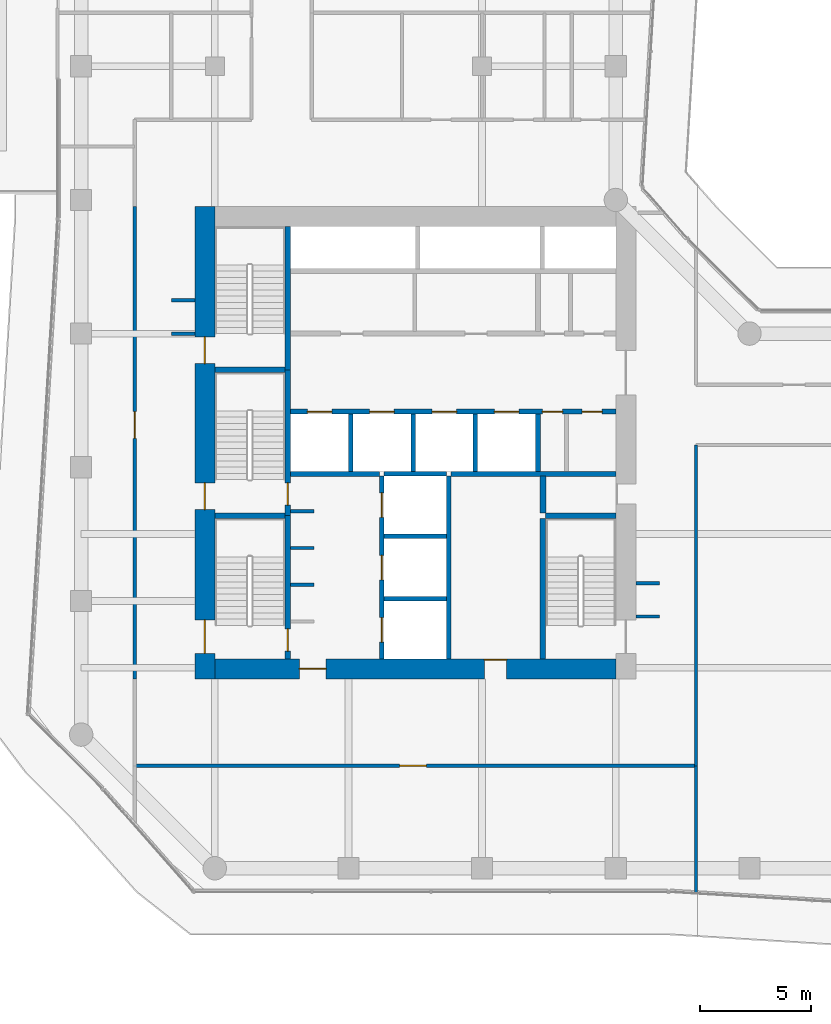
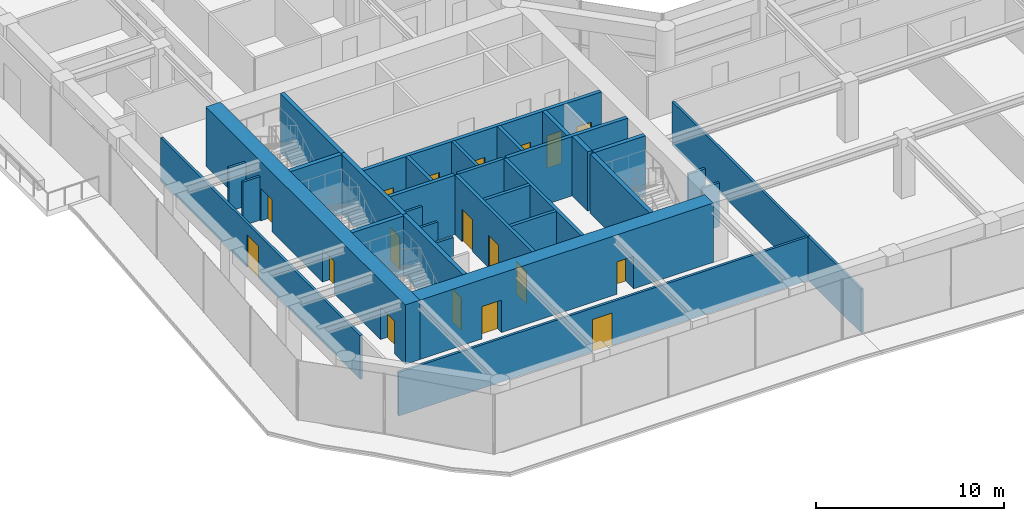
# One storey, part 21 of 27: 33 walls, 18 doors, 18 openings.
"""IFC4 building model written with IfcOpenShell, lengths in metres."""

from ifc_helpers import new_model, si_unit, direction, frame, frame_2d, origin, place, context, subcontext, project, spatial, rectangle, extrude, material, layer, layer_set, type_object, element, fill, save


model = new_model("IFC4")

# Units and contexts
model_context = context("Model", 3, precision=1e-05, world=origin(), true_north=direction((0.0, 1.0)))
body_context = subcontext(model_context, "Body", "Model", "MODEL_VIEW")
ifc_project = project(units=[si_unit("LENGTHUNIT", "METRE"), si_unit("AREAUNIT", "SQUARE_METRE"), si_unit("VOLUMEUNIT", "CUBIC_METRE"), si_unit("PLANEANGLEUNIT", "RADIAN"), si_unit("MASSUNIT", "GRAM", prefix="KILO")], contexts=[model_context])

# Site, building, storey
site_placement = place(None, origin())
site = spatial("IfcSite", under=ifc_project, at=site_placement, CompositionType="ELEMENT")
building_placement = place(site_placement, origin())
building = spatial("IfcBuilding", under=site, at=building_placement, Name="Welwitschia Terrace Campus", CompositionType="ELEMENT")
storey_placement = place(building_placement, frame((0.0, 0.0, 37.39990234375)))
storey = spatial("IfcBuildingStorey", under=building, at=storey_placement, Name="L08", CompositionType="ELEMENT", Elevation=37.39990234375)

# Walls
ifc_material_1 = material(Name="Concrete C32/40", Category="concrete")
ifc_layer_1 = layer(ifc_material_1, 0.22509765625)
ifc_layer_set_1 = layer_set([ifc_layer_1], Name="Concrete C32/40")
wall_type_1 = type_object("IfcWallType", Name="Core partition 225 Concrete C32/40", PredefinedType="PARTITIONING", material=ifc_layer_set_1)
wall_1_placement = place(storey_placement, frame((9.39990234375, 13.699951171875, 0.0), z_axis=(0.0, 0.0, 1.0), x_axis=(1.0, 0.0, 0.0)))
element("IfcWall", 1, at=wall_1_placement, inside=storey, type_object=wall_type_1, Name="Shaft wall", PredefinedType="PARTITIONING", context=body_context, shape_type="SweptSolid", body=[
    extrude(rectangle(XDim=4.0, YDim=0.22509765625, at=frame_2d((2.0, 0.0))), origin(), (0.0, 0.0, 1.0), 3.85009765625),
])
wall_2_placement = place(storey_placement, frame((16.60009765625, 13.699951171875, 0.0), z_axis=(0.0, 0.0, 1.0), x_axis=(1.0, 0.0, 0.0)))
element("IfcWall", 2, at=wall_2_placement, inside=storey, type_object=wall_type_1, Name="Shaft wall", PredefinedType="PARTITIONING", context=body_context, shape_type="SweptSolid", body=[
    extrude(rectangle(XDim=7.39990234375, YDim=0.22509765625, at=frame_2d((3.699951171875, 0.0))), origin(), (0.0, 0.0, 1.0), 3.85009765625),
])

# Wall, openings, doors
wall_3_placement = place(storey_placement, frame((9.39990234375, 16.5, 0.0), z_axis=(0.0, 0.0, 1.0), x_axis=(1.0, 0.0, 0.0)))
wall_3 = element("IfcWall", 3, at=wall_3_placement, inside=storey, type_object=wall_type_1, Name="Shaft wall", PredefinedType="PARTITIONING", context=body_context, shape_type="SweptSolid", body=[
    extrude(rectangle(XDim=14.60009765625, YDim=0.22509765625, at=frame_2d((7.300048828125, 0.0))), origin(), (0.0, 0.0, 1.0), 3.85009765625),
])
opening_1_placement = place(wall_3_placement, frame((0.75, 0.0, 0.0)))
opening_1 = element("IfcOpeningElement", 4, at=opening_1_placement, cuts=wall_3, Name="Opening LD", PredefinedType="OPENING", context=body_context, shape_type="SweptSolid", body=[
    extrude(rectangle(XDim=1.10009765625, YDim=2.10009765625, at=frame_2d((0.550048828125, 1.050048828125))), frame((0.0, 0.12255859375, 0.0), z_axis=(0.0, -1.0, 0.0), x_axis=(1.0, 0.0, 0.0)), (0.0, 0.0, 1.0), 0.2451171875),
])
opening_2_placement = place(wall_3_placement, frame((3.550048828125, 0.0, 0.0)))
opening_2 = element("IfcOpeningElement", 5, at=opening_2_placement, cuts=wall_3, Name="Opening LD", PredefinedType="OPENING", context=body_context, shape_type="SweptSolid", body=[
    extrude(rectangle(XDim=1.10009765625, YDim=2.10009765625, at=frame_2d((0.550048828125, 1.050048828125))), frame((0.0, 0.12255859375, 0.0), z_axis=(0.0, -1.0, 0.0), x_axis=(1.0, 0.0, 0.0)), (0.0, 0.0, 1.0), 0.2451171875),
])
opening_3_placement = place(wall_3_placement, frame((6.35009765625, 0.0, 0.0)))
opening_3 = element("IfcOpeningElement", 6, at=opening_3_placement, cuts=wall_3, Name="Opening LD", PredefinedType="OPENING", context=body_context, shape_type="SweptSolid", body=[
    extrude(rectangle(XDim=1.10009765625, YDim=2.10009765625, at=frame_2d((0.550048828125, 1.050048828125))), frame((0.0, 0.12255859375, 0.0), z_axis=(0.0, -1.0, 0.0), x_axis=(1.0, 0.0, 0.0)), (0.0, 0.0, 1.0), 0.2451171875),
])
opening_4_placement = place(wall_3_placement, frame((9.14990234375, 0.0, 0.0)))
opening_4 = element("IfcOpeningElement", 7, at=opening_4_placement, cuts=wall_3, Name="Opening LD", PredefinedType="OPENING", context=body_context, shape_type="SweptSolid", body=[
    extrude(rectangle(XDim=1.10009765625, YDim=2.10009765625, at=frame_2d((0.550048828125, 1.050048828125))), frame((0.0, 0.12255859375, 0.0), z_axis=(0.0, -1.0, 0.0), x_axis=(1.0, 0.0, 0.0)), (0.0, 0.0, 1.0), 0.2451171875),
])
opening_5_placement = place(wall_3_placement, frame((11.3076171875, 0.0, 0.0)))
opening_5 = element("IfcOpeningElement", 8, at=opening_5_placement, cuts=wall_3, Name="Opening DR09", PredefinedType="OPENING", context=body_context, shape_type="SweptSolid", body=[
    extrude(rectangle(XDim=0.89990234375, YDim=2.10009765625, at=frame_2d((0.449951171875, 1.050048828125))), frame((0.0, 0.12255859375, 0.0), z_axis=(0.0, -1.0, 0.0), x_axis=(1.0, 0.0, 0.0)), (0.0, 0.0, 1.0), 0.2451171875),
])
opening_6_placement = place(wall_3_placement, frame((13.08251953125, 0.0, 0.0)))
opening_6 = element("IfcOpeningElement", 9, at=opening_6_placement, cuts=wall_3, Name="Opening DR09", PredefinedType="OPENING", context=body_context, shape_type="SweptSolid", body=[
    extrude(rectangle(XDim=0.89990234375, YDim=2.10009765625, at=frame_2d((0.449951171875, 1.050048828125))), frame((0.0, 0.12255859375, 0.0), z_axis=(0.0, -1.0, 0.0), x_axis=(1.0, 0.0, 0.0)), (0.0, 0.0, 1.0), 0.2451171875),
])
ifc_material_2 = material(Name="Steel S275", Category="steel")
door_type_1 = type_object("IfcDoorType", Name="Core door DR09", OperationType="SINGLE_SWING_LEFT", PredefinedType="DOOR", material=ifc_material_2)
door_1_placement = place(opening_5_placement, origin())
door_1 = element("IfcDoor", 10, at=door_1_placement, inside=storey, type_object=door_type_1, Name="Door EL1-D", OperationType="SINGLE_SWING_RIGHT", OverallHeight=2.10009765625, OverallWidth=0.89990234375, PredefinedType="DOOR", context=body_context, shape_type="SweptSolid", body=[
    extrude(rectangle(XDim=0.89990234375, YDim=2.10009765625, at=frame_2d((0.449951171875, 1.050048828125))), frame((0.0, 0.02490234375, 0.0), z_axis=(0.0, -1.0, 0.0), x_axis=(1.0, 0.0, 0.0)), (0.0, 0.0, 1.0), 0.050048828125),
])
fill(opening_5, door_1)
door_2_placement = place(opening_6_placement, origin())
door_2 = element("IfcDoor", 11, at=door_2_placement, inside=storey, type_object=door_type_1, Name="Door EL2-D", OperationType="SINGLE_SWING_RIGHT", OverallHeight=2.10009765625, OverallWidth=0.89990234375, PredefinedType="DOOR", context=body_context, shape_type="SweptSolid", body=[
    extrude(rectangle(XDim=0.89990234375, YDim=2.10009765625, at=frame_2d((0.449951171875, 1.050048828125))), frame((0.0, 0.02490234375, 0.0), z_axis=(0.0, -1.0, 0.0), x_axis=(1.0, 0.0, 0.0)), (0.0, 0.0, 1.0), 0.050048828125),
])
fill(opening_6, door_2)
ifc_material_3 = material(Name="Stainless steel 304", Category="steel")
door_type_2 = type_object("IfcDoorType", Name="Lift landing door", OperationType="DOUBLE_DOOR_SLIDING", PredefinedType="DOOR", material=ifc_material_3)
door_3_placement = place(opening_1_placement, origin())
door_3 = element("IfcDoor", 12, at=door_3_placement, inside=storey, type_object=door_type_2, Name="Landing door LR1", OperationType="DOUBLE_DOOR_SLIDING", OverallHeight=2.10009765625, OverallWidth=1.10009765625, PredefinedType="DOOR", context=body_context, shape_type="SweptSolid", body=[
    extrude(rectangle(XDim=1.10009765625, YDim=2.10009765625, at=frame_2d((0.550048828125, 1.050048828125))), frame((0.0, 0.02490234375, 0.0), z_axis=(0.0, -1.0, 0.0), x_axis=(1.0, 0.0, 0.0)), (0.0, 0.0, 1.0), 0.050048828125),
])
fill(opening_1, door_3)
door_4_placement = place(opening_2_placement, origin())
door_4 = element("IfcDoor", 13, at=door_4_placement, inside=storey, type_object=door_type_2, Name="Landing door LR2", OperationType="DOUBLE_DOOR_SLIDING", OverallHeight=2.10009765625, OverallWidth=1.10009765625, PredefinedType="DOOR", context=body_context, shape_type="SweptSolid", body=[
    extrude(rectangle(XDim=1.10009765625, YDim=2.10009765625, at=frame_2d((0.550048828125, 1.050048828125))), frame((0.0, 0.02490234375, 0.0), z_axis=(0.0, -1.0, 0.0), x_axis=(1.0, 0.0, 0.0)), (0.0, 0.0, 1.0), 0.050048828125),
])
fill(opening_2, door_4)
door_5_placement = place(opening_3_placement, origin())
door_5 = element("IfcDoor", 14, at=door_5_placement, inside=storey, type_object=door_type_2, Name="Landing door LR3", OperationType="DOUBLE_DOOR_SLIDING", OverallHeight=2.10009765625, OverallWidth=1.10009765625, PredefinedType="DOOR", context=body_context, shape_type="SweptSolid", body=[
    extrude(rectangle(XDim=1.10009765625, YDim=2.10009765625, at=frame_2d((0.550048828125, 1.050048828125))), frame((0.0, 0.02490234375, 0.0), z_axis=(0.0, -1.0, 0.0), x_axis=(1.0, 0.0, 0.0)), (0.0, 0.0, 1.0), 0.050048828125),
])
fill(opening_3, door_5)
door_6_placement = place(opening_4_placement, origin())
door_6 = element("IfcDoor", 15, at=door_6_placement, inside=storey, type_object=door_type_2, Name="Landing door LR4", OperationType="DOUBLE_DOOR_SLIDING", OverallHeight=2.10009765625, OverallWidth=1.10009765625, PredefinedType="DOOR", context=body_context, shape_type="SweptSolid", body=[
    extrude(rectangle(XDim=1.10009765625, YDim=2.10009765625, at=frame_2d((0.550048828125, 1.050048828125))), frame((0.0, 0.02490234375, 0.0), z_axis=(0.0, -1.0, 0.0), x_axis=(1.0, 0.0, 0.0)), (0.0, 0.0, 1.0), 0.050048828125),
])
fill(opening_4, door_6)

# Walls
wall_4_placement = place(storey_placement, frame((20.5, 13.800048828125, 0.0), z_axis=(0.0, 0.0, 1.0), x_axis=(0.0, 1.0, 0.0)))
element("IfcWall", 16, at=wall_4_placement, inside=storey, type_object=wall_type_1, Name="Shaft wall", PredefinedType="PARTITIONING", context=body_context, shape_type="SweptSolid", body=[
    extrude(rectangle(XDim=2.599853515625, YDim=0.22509765625, at=frame_2d((1.2998046875, 0.0))), origin(), (0.0, 0.0, 1.0), 3.85009765625),
])
ifc_material_4 = material(Name="Concrete C32/40", Category="concrete")
ifc_layer_2 = layer(ifc_material_4, 0.27490234375)
ifc_layer_set_2 = layer_set([ifc_layer_2], Name="Concrete C32/40")
wall_type_2 = type_object("IfcWallType", Name="Core partition 275 Concrete C32/40", PredefinedType="PARTITIONING", material=ifc_layer_set_2)
wall_5_placement = place(storey_placement, frame((20.72509765625, 11.949951171875, 0.0), z_axis=(0.0, 0.0, 1.0), x_axis=(0.0, 1.0, 0.0)))
element("IfcWall", 17, at=wall_5_placement, inside=storey, type_object=wall_type_2, Name="Core partition", PredefinedType="PARTITIONING", context=body_context, shape_type="SweptSolid", body=[
    extrude(rectangle(XDim=1.650146484375, YDim=0.27490234375, at=frame_2d((0.8251953125, 0.0))), origin(), (0.0, 0.0, 1.0), 3.85009765625),
])
ifc_material_5 = material(Name="Concrete C50/60", Category="concrete")
ifc_layer_3 = layer(ifc_material_5, 0.14990234375)
ifc_layer_set_3 = layer_set([ifc_layer_3], Name="Concrete C50/60")
wall_type_3 = type_object("IfcWallType", Name="Core wall 150 Concrete C50/60", PredefinedType="SHEAR", material=ifc_layer_set_3)
for number, where, z_axis, x_axis, name in (
    (18, (9.39990234375, 8.72509765625, 0.0), (0.0, 0.0, 1.0), (1.0, 0.0, 0.0), "Core wall"),
    (19, (9.39990234375, 10.375, 0.0), (0.0, 0.0, 1.0), (1.0, 0.0, 0.0), "Core wall"),
    (20, (9.39990234375, 12.02490234375, 0.0), (0.0, 0.0, 1.0), (1.0, 0.0, 0.0), "Core wall"),
):
    element("IfcWall", number, at=place(storey_placement, frame(where, z_axis=z_axis, x_axis=x_axis)), inside=storey, type_object=wall_type_3, Name=name, PredefinedType="SHEAR", context=body_context, shape_type="SweptSolid", body=[
        extrude(rectangle(XDim=1.050048828125, YDim=0.14990234375, at=frame_2d((0.52490234375, 0.0))), origin(), (0.0, 0.0, 1.0), 3.85009765625),
    ])
ifc_material_6 = material(Name="Concrete C50/60", Category="concrete")
ifc_layer_4 = layer(ifc_material_6, 0.199951171875)
ifc_layer_set_4 = layer_set([ifc_layer_4], Name="Concrete C50/60")
wall_type_4 = type_object("IfcWallType", Name="Core wall 200 Concrete C50/60", PredefinedType="SHEAR", material=ifc_layer_set_4)
for number, where, z_axis, x_axis, name in (
    (21, (13.60009765625, 8.10009765625, 0.0), (0.0, 0.0, 1.0), (1.0, 0.0, 0.0), "Core wall"),
    (22, (13.60009765625, 10.89990234375, 0.0), (0.0, 0.0, 1.0), (1.0, 0.0, 0.0), "Core wall"),
    (23, (13.60009765625, 13.699951171875, 0.0), (0.0, 0.0, 1.0), (1.0, 0.0, 0.0), "Core wall"),
):
    element("IfcWall", number, at=place(storey_placement, frame(where, z_axis=z_axis, x_axis=x_axis)), inside=storey, type_object=wall_type_4, Name=name, PredefinedType="SHEAR", context=body_context, shape_type="SweptSolid", body=[
        extrude(rectangle(XDim=2.7998046875, YDim=0.199951171875, at=frame_2d((1.39990234375, 0.0))), origin(), (0.0, 0.0, 1.0), 3.85009765625),
    ])

# Wall, openings, doors
wall_6_placement = place(storey_placement, frame((13.5, 5.39990234375, 0.0), z_axis=(0.0, 0.0, 1.0), x_axis=(0.0, 1.0, 0.0)))
wall_6 = element("IfcWall", 24, at=wall_6_placement, inside=storey, type_object=wall_type_4, Name="Core wall", PredefinedType="SHEAR", context=body_context, shape_type="SweptSolid", body=[
    extrude(rectangle(XDim=8.2001953125, YDim=0.199951171875, at=frame_2d((4.10009765625, 0.0))), origin(), (0.0, 0.0, 1.0), 3.85009765625),
])
opening_7_placement = place(wall_6_placement, frame((0.75, 0.0, 0.0)))
opening_7 = element("IfcOpeningElement", 25, at=opening_7_placement, cuts=wall_6, Name="Opening LD", PredefinedType="OPENING", context=body_context, shape_type="SweptSolid", body=[
    extrude(rectangle(XDim=1.10009765625, YDim=2.10009765625, at=frame_2d((0.550048828125, 1.050048828125))), frame((0.0, 0.10986328125, 0.0), z_axis=(0.0, -1.0, 0.0), x_axis=(1.0, 0.0, 0.0)), (0.0, 0.0, 1.0), 0.219970703125),
])
opening_8_placement = place(wall_6_placement, frame((3.550048828125, 0.0, 0.0)))
opening_8 = element("IfcOpeningElement", 26, at=opening_8_placement, cuts=wall_6, Name="Opening LD", PredefinedType="OPENING", context=body_context, shape_type="SweptSolid", body=[
    extrude(rectangle(XDim=1.10009765625, YDim=2.10009765625, at=frame_2d((0.550048828125, 1.050048828125))), frame((0.0, 0.10986328125, 0.0), z_axis=(0.0, -1.0, 0.0), x_axis=(1.0, 0.0, 0.0)), (0.0, 0.0, 1.0), 0.219970703125),
])
opening_9_placement = place(wall_6_placement, frame((6.35009765625, 0.0, 0.0)))
opening_9 = element("IfcOpeningElement", 27, at=opening_9_placement, cuts=wall_6, Name="Opening LD", PredefinedType="OPENING", context=body_context, shape_type="SweptSolid", body=[
    extrude(rectangle(XDim=1.10009765625, YDim=2.10009765625, at=frame_2d((0.550048828125, 1.050048828125))), frame((0.0, 0.10986328125, 0.0), z_axis=(0.0, -1.0, 0.0), x_axis=(1.0, 0.0, 0.0)), (0.0, 0.0, 1.0), 0.219970703125),
])
door_7_placement = place(opening_7_placement, origin())
door_7 = element("IfcDoor", 28, at=door_7_placement, inside=storey, type_object=door_type_2, Name="Landing door FF1", OperationType="DOUBLE_DOOR_SLIDING", OverallHeight=2.10009765625, OverallWidth=1.10009765625, PredefinedType="DOOR", context=body_context, shape_type="SweptSolid", body=[
    extrude(rectangle(XDim=1.10009765625, YDim=2.10009765625, at=frame_2d((0.550048828125, 1.050048828125))), frame((0.0, 0.02490234375, 0.0), z_axis=(0.0, -1.0, 0.0), x_axis=(1.0, 0.0, 0.0)), (0.0, 0.0, 1.0), 0.050048828125),
])
fill(opening_7, door_7)
door_8_placement = place(opening_8_placement, origin())
door_8 = element("IfcDoor", 29, at=door_8_placement, inside=storey, type_object=door_type_2, Name="Landing door FF2", OperationType="DOUBLE_DOOR_SLIDING", OverallHeight=2.10009765625, OverallWidth=1.10009765625, PredefinedType="DOOR", context=body_context, shape_type="SweptSolid", body=[
    extrude(rectangle(XDim=1.10009765625, YDim=2.10009765625, at=frame_2d((0.550048828125, 1.050048828125))), frame((0.0, 0.02490234375, 0.0), z_axis=(0.0, -1.0, 0.0), x_axis=(1.0, 0.0, 0.0)), (0.0, 0.0, 1.0), 0.050048828125),
])
fill(opening_8, door_8)
door_9_placement = place(opening_9_placement, origin())
door_9 = element("IfcDoor", 30, at=door_9_placement, inside=storey, type_object=door_type_2, Name="Landing door SV1", OperationType="DOUBLE_DOOR_SLIDING", OverallHeight=2.10009765625, OverallWidth=1.10009765625, PredefinedType="DOOR", context=body_context, shape_type="SweptSolid", body=[
    extrude(rectangle(XDim=1.10009765625, YDim=2.10009765625, at=frame_2d((0.550048828125, 1.050048828125))), frame((0.0, 0.02490234375, 0.0), z_axis=(0.0, -1.0, 0.0), x_axis=(1.0, 0.0, 0.0)), (0.0, 0.0, 1.0), 0.050048828125),
])
fill(opening_9, door_9)

# Walls
wall_7_placement = place(storey_placement, frame((16.5, 5.39990234375, 0.0), z_axis=(0.0, 0.0, 1.0), x_axis=(0.0, 1.0, 0.0)))
element("IfcWall", 31, at=wall_7_placement, inside=storey, type_object=wall_type_4, Name="Core wall", PredefinedType="SHEAR", context=body_context, shape_type="SweptSolid", body=[
    extrude(rectangle(XDim=8.2001953125, YDim=0.199951171875, at=frame_2d((4.10009765625, 0.0))), origin(), (0.0, 0.0, 1.0), 3.85009765625),
])
ifc_material_7 = material(Name="Concrete C50/60", Category="concrete")
ifc_layer_5 = layer(ifc_material_7, 0.25)
ifc_layer_set_5 = layer_set([ifc_layer_5], Name="Concrete C50/60")
wall_type_5 = type_object("IfcWallType", Name="Core wall 250 Concrete C50/60", PredefinedType="SHEAR", material=ifc_layer_set_5)
for number, where, z_axis, x_axis, name in (
    (32, (6.0, 11.824951171875, 0.0), (0.0, 0.0, 1.0), (1.0, 0.0, 0.0), "Core wall"),
    (33, (20.85009765625, 11.824951171875, 0.0), (0.0, 0.0, 1.0), (1.0, 0.0, 0.0), "Core wall"),
    (34, (6.0, 18.375, 0.0), (0.0, 0.0, 1.0), (1.0, 0.0, 0.0), "Core wall"),
):
    element("IfcWall", number, at=place(storey_placement, frame(where, z_axis=z_axis, x_axis=x_axis)), inside=storey, type_object=wall_type_5, Name=name, PredefinedType="SHEAR", context=body_context, shape_type="SweptSolid", body=[
        extrude(rectangle(XDim=3.14990234375, YDim=0.25, at=frame_2d((1.574951171875, 0.0))), origin(), (0.0, 0.0, 1.0), 3.85009765625),
    ])

# Wall, opening, door
wall_8_placement = place(storey_placement, frame((9.27490234375, 11.824951171875, 0.0), z_axis=(0.0, 0.0, 1.0), x_axis=(0.0, -1.0, 0.0)))
wall_8 = element("IfcWall", 35, at=wall_8_placement, inside=storey, type_object=wall_type_5, Name="Core wall", PredefinedType="SHEAR", context=body_context, shape_type="SweptSolid", body=[
    extrude(rectangle(XDim=6.425048828125, YDim=0.25, at=frame_2d((3.21240234375, 0.0))), origin(), (0.0, 0.0, 1.0), 3.85009765625),
])
opening_10_placement = place(wall_8_placement, frame((5.074951171875, 0.0, 0.0)))
opening_10 = element("IfcOpeningElement", 36, at=opening_10_placement, cuts=wall_8, Name="Opening DS10", PredefinedType="OPENING", context=body_context, shape_type="SweptSolid", body=[
    extrude(rectangle(XDim=1.0, YDim=2.10009765625, at=frame_2d((0.5, 1.050048828125))), frame((0.0, 0.135009765625, 0.0), z_axis=(0.0, -1.0, 0.0), x_axis=(1.0, 0.0, 0.0)), (0.0, 0.0, 1.0), 0.27001953125),
])
ifc_material_8 = material(Name="Steel S275", Category="steel")
door_type_3 = type_object("IfcDoorType", Name="Core door DS10", OperationType="SINGLE_SWING_LEFT", PredefinedType="DOOR", material=ifc_material_8)
door_10_placement = place(opening_10_placement, origin())
door_10 = element("IfcDoor", 37, at=door_10_placement, inside=storey, type_object=door_type_3, Name="Door S1-FL", OperationType="SINGLE_SWING_RIGHT", OverallHeight=2.10009765625, OverallWidth=1.0, PredefinedType="DOOR", context=body_context, shape_type="SweptSolid", body=[
    extrude(rectangle(XDim=1.0, YDim=2.10009765625, at=frame_2d((0.5, 1.050048828125))), frame((0.0, 0.02490234375, 0.0), z_axis=(0.0, -1.0, 0.0), x_axis=(1.0, 0.0, 0.0)), (0.0, 0.0, 1.0), 0.050048828125),
])
fill(opening_10, door_10)

wall_9_placement = place(storey_placement, frame((9.27490234375, 18.375, 0.0), z_axis=(0.0, 0.0, 1.0), x_axis=(0.0, -1.0, 0.0)))
wall_9 = element("IfcWall", 38, at=wall_9_placement, inside=storey, type_object=wall_type_5, Name="Core wall", PredefinedType="SHEAR", context=body_context, shape_type="SweptSolid", body=[
    extrude(rectangle(XDim=6.550048828125, YDim=0.25, at=frame_2d((3.27490234375, 0.0))), origin(), (0.0, 0.0, 1.0), 3.85009765625),
])
opening_11_placement = place(wall_9_placement, frame((5.074951171875, 0.0, 0.0)))
opening_11 = element("IfcOpeningElement", 39, at=opening_11_placement, cuts=wall_9, Name="Opening DS10", PredefinedType="OPENING", context=body_context, shape_type="SweptSolid", body=[
    extrude(rectangle(XDim=1.0, YDim=2.10009765625, at=frame_2d((0.5, 1.050048828125))), frame((0.0, 0.135009765625, 0.0), z_axis=(0.0, -1.0, 0.0), x_axis=(1.0, 0.0, 0.0)), (0.0, 0.0, 1.0), 0.27001953125),
])
door_11_placement = place(opening_11_placement, origin())
door_11 = element("IfcDoor", 40, at=door_11_placement, inside=storey, type_object=door_type_3, Name="Door S3-FL", OperationType="SINGLE_SWING_RIGHT", OverallHeight=2.10009765625, OverallWidth=1.0, PredefinedType="DOOR", context=body_context, shape_type="SweptSolid", body=[
    extrude(rectangle(XDim=1.0, YDim=2.10009765625, at=frame_2d((0.5, 1.050048828125))), frame((0.0, 0.02490234375, 0.0), z_axis=(0.0, -1.0, 0.0), x_axis=(1.0, 0.0, 0.0)), (0.0, 0.0, 1.0), 0.050048828125),
])
fill(opening_11, door_11)

# Walls
wall_10_placement = place(storey_placement, frame((9.27490234375, 18.375, 0.0), z_axis=(0.0, 0.0, 1.0), x_axis=(0.0, 1.0, 0.0)))
element("IfcWall", 41, at=wall_10_placement, inside=storey, type_object=wall_type_5, Name="Core wall", PredefinedType="SHEAR", context=body_context, shape_type="SweptSolid", body=[
    extrude(rectangle(XDim=6.425048828125, YDim=0.25, at=frame_2d((3.21240234375, 0.0))), origin(), (0.0, 0.0, 1.0), 3.85009765625),
])
wall_11_placement = place(storey_placement, frame((20.72509765625, 5.39990234375, 0.0), z_axis=(0.0, 0.0, 1.0), x_axis=(0.0, 1.0, 0.0)))
element("IfcWall", 42, at=wall_11_placement, inside=storey, type_object=wall_type_5, Name="Core wall", PredefinedType="SHEAR", context=body_context, shape_type="SweptSolid", body=[
    extrude(rectangle(XDim=6.300048828125, YDim=0.25, at=frame_2d((3.14990234375, 0.0))), origin(), (0.0, 0.0, 1.0), 3.85009765625),
])

# Wall, openings, doors
ifc_material_9 = material(Name="Concrete C70/85", Category="concrete")
ifc_layer_6 = layer(ifc_material_9, 0.89990234375)
ifc_layer_set_6 = layer_set([ifc_layer_6], Name="Concrete C70/85")
wall_type_6 = type_object("IfcWallType", Name="Core wall 900 Concrete C70/85", PredefinedType="SHEAR", material=ifc_layer_set_6)
wall_12_placement = place(storey_placement, frame((5.550048828125, 4.5, 0.0), z_axis=(0.0, 0.0, 1.0), x_axis=(0.0, 1.0, 0.0)))
wall_12 = element("IfcWall", 43, at=wall_12_placement, inside=storey, type_object=wall_type_6, Name="Core outer wall", PredefinedType="SHEAR", context=body_context, shape_type="SweptSolid", body=[
    extrude(rectangle(XDim=21.199951171875, YDim=0.89990234375, at=frame_2d((10.60009765625, 0.0))), origin(), (0.0, 0.0, 1.0), 3.85009765625),
])
opening_12_placement = place(wall_12_placement, frame((1.14990234375, 0.0, 0.0)))
opening_12 = element("IfcOpeningElement", 44, at=opening_12_placement, cuts=wall_12, Name="Opening DS15", PredefinedType="OPENING", context=body_context, shape_type="SweptSolid", body=[
    extrude(rectangle(XDim=1.5, YDim=2.10009765625, at=frame_2d((0.75, 1.050048828125))), frame((0.0, 0.4599609375, 0.0), z_axis=(0.0, -1.0, 0.0), x_axis=(1.0, 0.0, 0.0)), (0.0, 0.0, 1.0), 0.919921875),
])
opening_13_placement = place(wall_12_placement, frame((7.60009765625, 0.0, 0.0)))
opening_13 = element("IfcOpeningElement", 45, at=opening_13_placement, cuts=wall_12, Name="Opening DS12", PredefinedType="OPENING", context=body_context, shape_type="SweptSolid", body=[
    extrude(rectangle(XDim=1.199951171875, YDim=2.10009765625, at=frame_2d((0.60009765625, 1.050048828125))), frame((0.0, 0.4599609375, 0.0), z_axis=(0.0, -1.0, 0.0), x_axis=(1.0, 0.0, 0.0)), (0.0, 0.0, 1.0), 0.919921875),
])
opening_14_placement = place(wall_12_placement, frame((14.14990234375, 0.0, 0.0)))
opening_14 = element("IfcOpeningElement", 46, at=opening_14_placement, cuts=wall_12, Name="Opening DS12", PredefinedType="OPENING", context=body_context, shape_type="SweptSolid", body=[
    extrude(rectangle(XDim=1.199951171875, YDim=2.10009765625, at=frame_2d((0.60009765625, 1.050048828125))), frame((0.0, 0.4599609375, 0.0), z_axis=(0.0, -1.0, 0.0), x_axis=(1.0, 0.0, 0.0)), (0.0, 0.0, 1.0), 0.919921875),
])
ifc_material_10 = material(Name="Steel S275", Category="steel")
door_type_4 = type_object("IfcDoorType", Name="Core door DS12", OperationType="SINGLE_SWING_LEFT", PredefinedType="DOOR", material=ifc_material_10)
door_12_placement = place(opening_13_placement, origin())
door_12 = element("IfcDoor", 47, at=door_12_placement, inside=storey, type_object=door_type_4, Name="Door S3-out", OperationType="SINGLE_SWING_LEFT", OverallHeight=2.10009765625, OverallWidth=1.199951171875, PredefinedType="DOOR", context=body_context, shape_type="SweptSolid", body=[
    extrude(rectangle(XDim=1.199951171875, YDim=2.10009765625, at=frame_2d((0.60009765625, 1.050048828125))), frame((0.0, 0.02490234375, 0.0), z_axis=(0.0, -1.0, 0.0), x_axis=(1.0, 0.0, 0.0)), (0.0, 0.0, 1.0), 0.050048828125),
])
fill(opening_13, door_12)
door_13_placement = place(opening_14_placement, origin())
door_13 = element("IfcDoor", 48, at=door_13_placement, inside=storey, type_object=door_type_4, Name="Door S4-out", OperationType="SINGLE_SWING_RIGHT", OverallHeight=2.10009765625, OverallWidth=1.199951171875, PredefinedType="DOOR", context=body_context, shape_type="SweptSolid", body=[
    extrude(rectangle(XDim=1.199951171875, YDim=2.10009765625, at=frame_2d((0.60009765625, 1.050048828125))), frame((0.0, 0.02490234375, 0.0), z_axis=(0.0, -1.0, 0.0), x_axis=(1.0, 0.0, 0.0)), (0.0, 0.0, 1.0), 0.050048828125),
])
fill(opening_14, door_13)
ifc_material_11 = material(Name="Steel S275", Category="steel")
door_type_5 = type_object("IfcDoorType", Name="Core door DS15", OperationType="DOUBLE_DOOR_SINGLE_SWING", PredefinedType="DOOR", material=ifc_material_11)
door_14_placement = place(opening_12_placement, origin())
door_14 = element("IfcDoor", 49, at=door_14_placement, inside=storey, type_object=door_type_5, Name="Door S1-out", OperationType="DOUBLE_DOOR_SINGLE_SWING", OverallHeight=2.10009765625, OverallWidth=1.5, PredefinedType="DOOR", context=body_context, shape_type="SweptSolid", body=[
    extrude(rectangle(XDim=1.5, YDim=2.10009765625, at=frame_2d((0.75, 1.050048828125))), frame((0.0, 0.02490234375, 0.0), z_axis=(0.0, -1.0, 0.0), x_axis=(1.0, 0.0, 0.0)), (0.0, 0.0, 1.0), 0.050048828125),
])
fill(opening_12, door_14)

wall_13_placement = place(storey_placement, frame((24.0, 4.949951171875, 0.0), z_axis=(0.0, 0.0, 1.0), x_axis=(-1.0, 0.0, 0.0)))
wall_13 = element("IfcWall", 50, at=wall_13_placement, inside=storey, type_object=wall_type_6, Name="Core outer wall", PredefinedType="SHEAR", context=body_context, shape_type="SweptSolid", body=[
    extrude(rectangle(XDim=18.0, YDim=0.89990234375, at=frame_2d((9.0, 0.0))), origin(), (0.0, 0.0, 1.0), 3.85009765625),
])
opening_15_placement = place(wall_13_placement, frame((13.0, 0.0, 0.0)))
opening_15 = element("IfcOpeningElement", 51, at=opening_15_placement, cuts=wall_13, Name="Opening DF12", PredefinedType="OPENING", context=body_context, shape_type="SweptSolid", body=[
    extrude(rectangle(XDim=1.199951171875, YDim=2.10009765625, at=frame_2d((0.60009765625, 1.050048828125))), frame((0.0, 0.4599609375, 0.0), z_axis=(0.0, -1.0, 0.0), x_axis=(1.0, 0.0, 0.0)), (0.0, 0.0, 1.0), 0.919921875),
])
opening_16_placement = place(wall_13_placement, frame((4.89990234375, 0.0, 0.0)))
opening_16 = element("IfcOpeningElement", 52, at=opening_16_placement, cuts=wall_13, Name="Opening DR10", PredefinedType="OPENING", context=body_context, shape_type="SweptSolid", body=[
    extrude(rectangle(XDim=1.0, YDim=2.10009765625, at=frame_2d((0.5, 1.050048828125))), frame((0.0, 0.4599609375, 0.0), z_axis=(0.0, -1.0, 0.0), x_axis=(1.0, 0.0, 0.0)), (0.0, 0.0, 1.0), 0.919921875),
])
ifc_material_12 = material(Name="Steel S275", Category="steel")
door_type_6 = type_object("IfcDoorType", Name="Core door DF12", OperationType="SINGLE_SWING_LEFT", PredefinedType="DOOR", material=ifc_material_12)
door_15_placement = place(opening_15_placement, origin())
door_15 = element("IfcDoor", 53, at=door_15_placement, inside=storey, type_object=door_type_6, Name="Door FL-out", OperationType="SINGLE_SWING_RIGHT", OverallHeight=2.10009765625, OverallWidth=1.199951171875, PredefinedType="DOOR", context=body_context, shape_type="SweptSolid", body=[
    extrude(rectangle(XDim=1.199951171875, YDim=2.10009765625, at=frame_2d((0.60009765625, 1.050048828125))), frame((0.0, 0.02490234375, 0.0), z_axis=(0.0, -1.0, 0.0), x_axis=(1.0, 0.0, 0.0)), (0.0, 0.0, 1.0), 0.050048828125),
])
fill(opening_15, door_15)
ifc_material_13 = material(Name="Steel S275", Category="steel")
door_type_7 = type_object("IfcDoorType", Name="Core door DR10", OperationType="SINGLE_SWING_LEFT", PredefinedType="DOOR", material=ifc_material_13)
door_16_placement = place(opening_16_placement, origin())
door_16 = element("IfcDoor", 54, at=door_16_placement, inside=storey, type_object=door_type_7, Name="Door F1-out", OperationType="SINGLE_SWING_LEFT", OverallHeight=2.10009765625, OverallWidth=1.0, PredefinedType="DOOR", context=body_context, shape_type="SweptSolid", body=[
    extrude(rectangle(XDim=1.0, YDim=2.10009765625, at=frame_2d((0.5, 1.050048828125))), frame((0.0, -0.39013671875, 0.0), z_axis=(0.0, -1.0, 0.0), x_axis=(1.0, 0.0, 0.0)), (0.0, 0.0, 1.0), 0.050048828125),
])
fill(opening_16, door_16)

# Wall, opening, door
ifc_material_14 = material(Name="Gypsum board on steel studs", Category="steel")
ifc_layer_7 = layer(ifc_material_14, 0.14990234375)
ifc_layer_set_7 = layer_set([ifc_layer_7], Name="Gypsum board on steel studs")
wall_type_7 = type_object("IfcWallType", Name="Corridor partition 150 EI 30", PredefinedType="PARTITIONING", material=ifc_layer_set_7)
wall_14_placement = place(storey_placement, frame((2.39990234375, 4.5, 0.0), z_axis=(0.0, 0.0, 1.0), x_axis=(0.0, 1.0, 0.0)))
wall_14 = element("IfcWall", 55, at=wall_14_placement, inside=storey, type_object=wall_type_7, Name="Partition", PredefinedType="PARTITIONING", context=body_context, shape_type="SweptSolid", body=[
    extrude(rectangle(XDim=21.199951171875, YDim=0.14990234375, at=frame_2d((10.60009765625, 0.0))), origin(), (0.0, 0.0, 1.0), 2.830078125),
])
opening_17_placement = place(wall_14_placement, frame((10.800048828125, 0.0, 0.0)))
opening_17 = element("IfcOpeningElement", 56, at=opening_17_placement, cuts=wall_14, Name="Opening DI12", PredefinedType="OPENING", context=body_context, shape_type="SweptSolid", body=[
    extrude(rectangle(XDim=1.199951171875, YDim=2.10009765625, at=frame_2d((0.60009765625, 1.050048828125))), frame((0.0, 0.0849609375, 0.0), z_axis=(0.0, -1.0, 0.0), x_axis=(1.0, 0.0, 0.0)), (0.0, 0.0, 1.0), 0.169921875),
])
ifc_material_15 = material(Name="Timber veneered door", Category="wood")
door_type_8 = type_object("IfcDoorType", Name="Interior door DI12", OperationType="NOTDEFINED", PredefinedType="DOOR", material=ifc_material_15)
door_17_placement = place(opening_17_placement, origin())
door_17 = element("IfcDoor", 57, at=door_17_placement, inside=storey, type_object=door_type_8, Name="Door L08 188", OperationType="SINGLE_SWING_LEFT", OverallHeight=2.10009765625, OverallWidth=1.199951171875, PredefinedType="DOOR", context=body_context, shape_type="SweptSolid", body=[
    extrude(rectangle(XDim=1.199951171875, YDim=2.10009765625, at=frame_2d((0.60009765625, 1.050048828125))), frame((0.0, 0.02490234375, 0.0), z_axis=(0.0, -1.0, 0.0), x_axis=(1.0, 0.0, 0.0)), (0.0, 0.0, 1.0), 0.050048828125),
])
fill(opening_17, door_17)

# Walls
for number, where, z_axis, x_axis, name in (
    (58, (4.050048828125, 20.0, 0.0), (0.0, 0.0, 1.0), (1.0, 0.0, 0.0), "Partition"),
    (59, (4.050048828125, 21.5, 0.0), (0.0, 0.0, 1.0), (1.0, 0.0, 0.0), "Partition"),
    (60, (24.89990234375, 7.300048828125, 0.0), (0.0, 0.0, 1.0), (1.0, 0.0, 0.0), "Partition"),
    (61, (24.89990234375, 8.800048828125, 0.0), (0.0, 0.0, 1.0), (1.0, 0.0, 0.0), "Partition"),
):
    element("IfcWall", number, at=place(storey_placement, frame(where, z_axis=z_axis, x_axis=x_axis)), inside=storey, type_object=wall_type_7, Name=name, PredefinedType="PARTITIONING", context=body_context, shape_type="SweptSolid", body=[
        extrude(rectangle(XDim=1.050048828125, YDim=0.14990234375, at=frame_2d((0.52490234375, 0.0))), origin(), (0.0, 0.0, 1.0), 2.830078125),
    ])
wall_15_placement = place(storey_placement, frame((27.60009765625, -5.080078125, 0.0), z_axis=(0.0, 0.0, 1.0), x_axis=(0.0, 1.0, 0.0)))
element("IfcWall", 62, at=wall_15_placement, inside=storey, type_object=wall_type_7, Name="Partition", PredefinedType="PARTITIONING", context=body_context, shape_type="SweptSolid", body=[
    extrude(rectangle(XDim=5.68017578125, YDim=0.14990234375, at=frame_2d((2.840087890625, 0.0))), origin(), (0.0, 0.0, 1.0), 2.830078125),
])

# Wall, opening, door
wall_16_placement = place(storey_placement, frame((27.60009765625, 0.60009765625, 0.0), z_axis=(0.0, 0.0, 1.0), x_axis=(-1.0, 0.0, 0.0)))
wall_16 = element("IfcWall", 63, at=wall_16_placement, inside=storey, type_object=wall_type_7, Name="Partition", PredefinedType="PARTITIONING", context=body_context, shape_type="SweptSolid", body=[
    extrude(rectangle(XDim=25.2001953125, YDim=0.14990234375, at=frame_2d((12.60009765625, 0.0))), origin(), (0.0, 0.0, 1.0), 2.830078125),
])
opening_18_placement = place(wall_16_placement, frame((12.10009765625, 0.0, 0.0)))
opening_18 = element("IfcOpeningElement", 64, at=opening_18_placement, cuts=wall_16, Name="Opening DI12", PredefinedType="OPENING", context=body_context, shape_type="SweptSolid", body=[
    extrude(rectangle(XDim=1.199951171875, YDim=2.10009765625, at=frame_2d((0.60009765625, 1.050048828125))), frame((0.0, 0.0849609375, 0.0), z_axis=(0.0, -1.0, 0.0), x_axis=(1.0, 0.0, 0.0)), (0.0, 0.0, 1.0), 0.169921875),
])
door_18_placement = place(opening_18_placement, origin())
door_18 = element("IfcDoor", 65, at=door_18_placement, inside=storey, type_object=door_type_8, Name="Door L08 200", OperationType="SINGLE_SWING_LEFT", OverallHeight=2.10009765625, OverallWidth=1.199951171875, PredefinedType="DOOR", context=body_context, shape_type="SweptSolid", body=[
    extrude(rectangle(XDim=1.199951171875, YDim=2.10009765625, at=frame_2d((0.60009765625, 1.050048828125))), frame((0.0, 0.02490234375, 0.0), z_axis=(0.0, -1.0, 0.0), x_axis=(1.0, 0.0, 0.0)), (0.0, 0.0, 1.0), 0.050048828125),
])
fill(opening_18, door_18)

# Walls
wall_17_placement = place(storey_placement, frame((27.60009765625, 0.60009765625, 0.0), z_axis=(0.0, 0.0, 1.0), x_axis=(0.0, 1.0, 0.0)))
element("IfcWall", 66, at=wall_17_placement, inside=storey, type_object=wall_type_7, Name="Partition", PredefinedType="PARTITIONING", context=body_context, shape_type="SweptSolid", body=[
    extrude(rectangle(XDim=14.39990234375, YDim=0.14990234375, at=frame_2d((7.199951171875, 0.0))), origin(), (0.0, 0.0, 1.0), 2.830078125),
])
ifc_material_16 = material(Name="Concrete C32/40", Category="concrete")
ifc_layer_8 = layer(ifc_material_16, 0.199951171875)
ifc_layer_set_8 = layer_set([ifc_layer_8], Name="Concrete C32/40")
wall_type_8 = type_object("IfcWallType", Name="Shaft wall 200 Concrete C32/40", PredefinedType="SOLIDWALL", material=ifc_layer_set_8)
for number, where, z_axis, x_axis, name in (
    (67, (12.10009765625, 13.800048828125, 0.0), (0.0, 0.0, 1.0), (0.0, 1.0, 0.0), "Shaft wall"),
    (68, (14.89990234375, 13.800048828125, 0.0), (0.0, 0.0, 1.0), (0.0, 1.0, 0.0), "Shaft wall"),
    (69, (17.699951171875, 13.800048828125, 0.0), (0.0, 0.0, 1.0), (0.0, 1.0, 0.0), "Shaft wall"),
):
    element("IfcWall", number, at=place(storey_placement, frame(where, z_axis=z_axis, x_axis=x_axis)), inside=storey, type_object=wall_type_8, Name=name, PredefinedType="SOLIDWALL", context=body_context, shape_type="SweptSolid", body=[
        extrude(rectangle(XDim=2.599853515625, YDim=0.199951171875, at=frame_2d((1.2998046875, 0.0))), origin(), (0.0, 0.0, 1.0), 3.85009765625),
    ])

save(model, "model.ifc")
